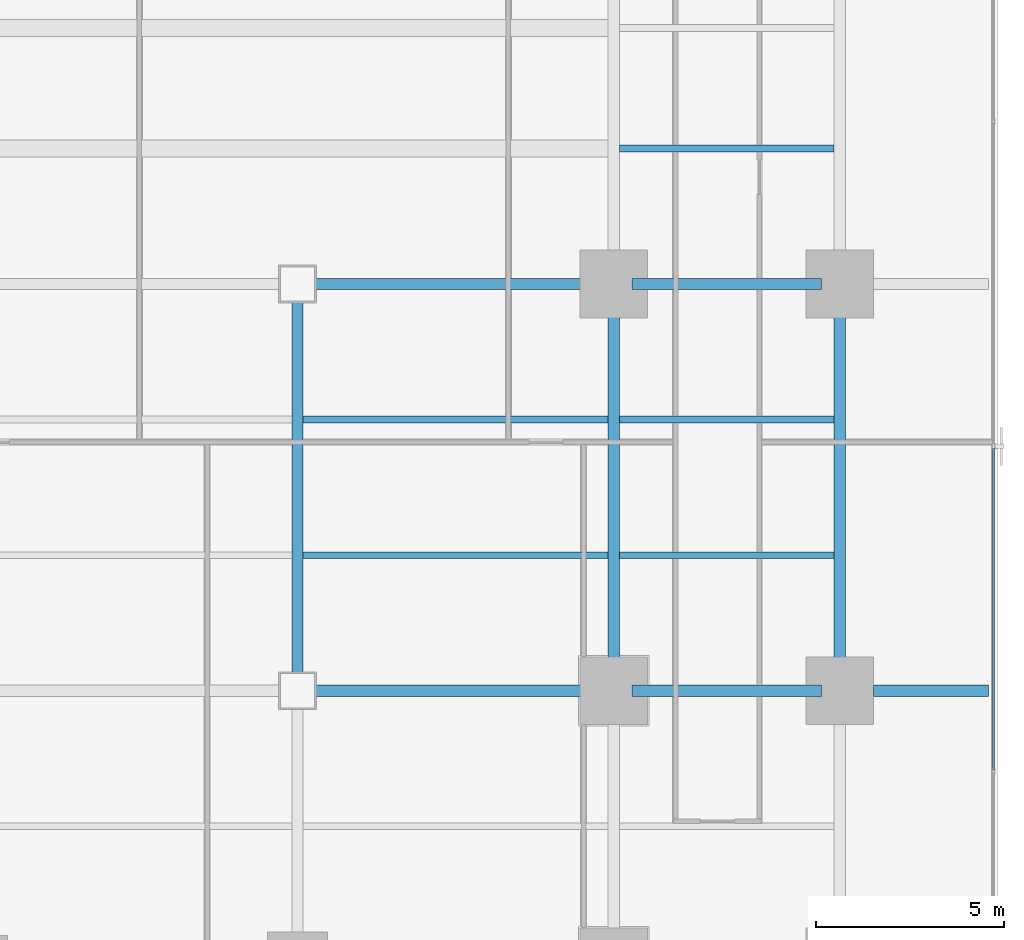
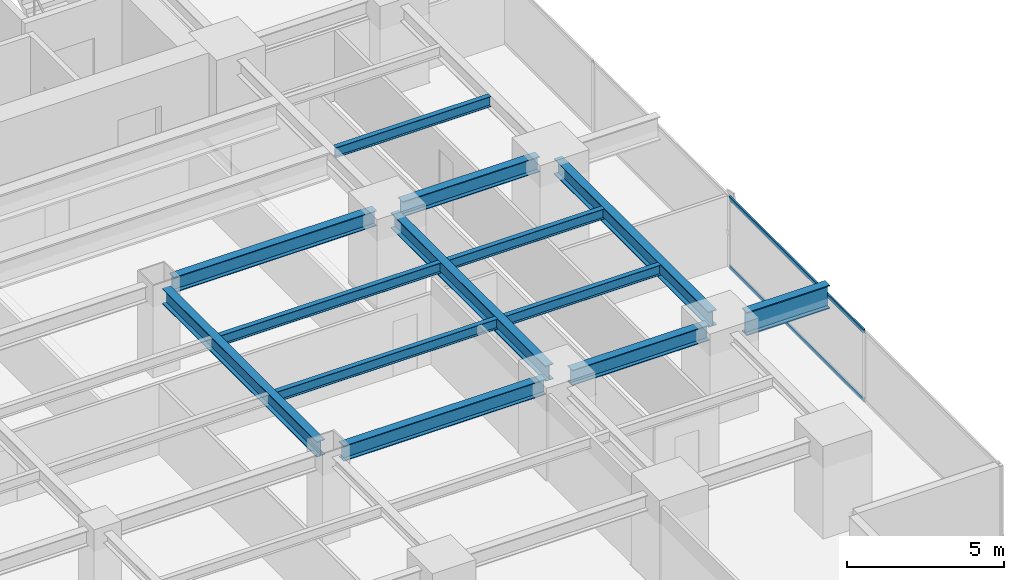
# One storey, part 14 of 33: 13 beams, 2 members, 1 element without a shape of its own.
"""IFC4 building model written with IfcOpenShell, lengths in metres."""

from ifc_helpers import new_model, si_unit, direction, frame, origin, origin_2d, place, context, subcontext, project, spatial, hollow_rectangle, i_section, extrude, source, transform, mapped, material, layer, layer_set, material_profile, profile_set, type_object, element, aggregate, save


model = new_model("IFC4")

# Units and contexts
model_context = context("Model", 3, precision=1e-05, world=origin(), true_north=direction((0.0, 1.0)))
body_context = subcontext(model_context, "Body", "Model", "MODEL_VIEW")
ifc_project = project(units=[si_unit("LENGTHUNIT", "METRE"), si_unit("AREAUNIT", "SQUARE_METRE"), si_unit("VOLUMEUNIT", "CUBIC_METRE"), si_unit("PLANEANGLEUNIT", "RADIAN"), si_unit("MASSUNIT", "GRAM", prefix="KILO")], contexts=[model_context])

# Site, building, storey
site_placement = place(None, origin())
site = spatial("IfcSite", under=ifc_project, at=site_placement, CompositionType="ELEMENT")
building_placement = place(site_placement, origin())
building = spatial("IfcBuilding", under=site, at=building_placement, Name="Sumidabori Civic Tower", CompositionType="ELEMENT")
storey_placement = place(building_placement, frame((0.0, 0.0, 27.199951171875)))
storey = spatial("IfcBuildingStorey", under=building, at=storey_placement, Name="L06", CompositionType="ELEMENT", Elevation=27.199951171875)

# Beams
ifc_material_1 = material(Name="Steel SN490", Category="steel")
ifc_material_profile_1 = material_profile(ifc_material_1, i_section(OverallWidth=0.300048828125, OverallDepth=0.60009765625, WebThickness=0.015380859375, FlangeThickness=0.030029296875, at=origin_2d()), Name="HE 600 B")
ifc_profile_set_1 = profile_set([ifc_material_profile_1], Name="Steel SN490")
beam_type_1 = type_object("IfcBeamType", Name="BM-GIRD-600", PredefinedType="BEAM", material=ifc_profile_set_1)
shared_shape_1 = source(origin(), body_context, "Body", "SweptSolid", [
    extrude(i_section(OverallWidth=0.300048828125, OverallDepth=0.60009765625, WebThickness=0.015380859375, FlangeThickness=0.030029296875, at=origin_2d()), origin(), (0.0, 0.0, 1.0), 5.0400390625),
])
for number, where, z_axis, x_axis, name in (
    (1, (17.280029296875, -10.800048828125, 3.06005859375), (1.0, 0.0, 0.0), (0.0, 1.0, 0.0), "Primary Girder L06 GX-12"),
    (2, (17.280029296875, 0.0, 3.06005859375), (1.0, 0.0, 0.0), (0.0, 1.0, 0.0), "Primary Girder L06 GX-18"),
):
    element("IfcBeam", number, at=place(storey_placement, frame(where, z_axis=z_axis, x_axis=x_axis)), inside=storey, type_object=beam_type_1, Name=name, PredefinedType="BEAM", context=body_context, shape_type="MappedRepresentation", body=[
        mapped(shared_shape_1, transform((0.0, 0.0, 0.0), x_axis=(1.0, 0.0, 0.0), y_axis=(0.0, 1.0, 0.0), z_axis=(0.0, 0.0, 1.0), scale=1.0)),
    ])
shared_shape_2 = source(origin(), body_context, "Body", "SweptSolid", [
    extrude(i_section(OverallWidth=0.300048828125, OverallDepth=0.60009765625, WebThickness=0.015380859375, FlangeThickness=0.030029296875, at=origin_2d()), origin(), (0.0, 0.0, 1.0), 7.440185546875),
])
for number, where, z_axis, x_axis, name in (
    (3, (8.8798828125, -10.800048828125, 3.06005859375), (1.0, 0.0, 0.0), (0.0, 1.0, 0.0), "Primary Girder L06 GX-11"),
    (4, (8.8798828125, 0.0, 3.06005859375), (1.0, 0.0, 0.0), (0.0, 1.0, 0.0), "Primary Girder L06 GX-17"),
):
    element("IfcBeam", number, at=place(storey_placement, frame(where, z_axis=z_axis, x_axis=x_axis)), inside=storey, type_object=beam_type_1, Name=name, PredefinedType="BEAM", context=body_context, shape_type="MappedRepresentation", body=[
        mapped(shared_shape_2, transform((0.0, 0.0, 0.0), x_axis=(1.0, 0.0, 0.0), y_axis=(0.0, 1.0, 0.0), z_axis=(0.0, 0.0, 1.0), scale=1.0)),
    ])
shared_shape_3 = source(origin(), body_context, "Body", "SweptSolid", [
    extrude(i_section(OverallWidth=0.300048828125, OverallDepth=0.60009765625, WebThickness=0.015380859375, FlangeThickness=0.030029296875, at=origin_2d()), origin(), (0.0, 0.0, 1.0), 9.840087890625),
])
for number, where, z_axis, x_axis, name in (
    (5, (8.39990234375, -10.320068359375, 3.06005859375), (0.0, 1.0, 0.0), (-1.0, 0.0, 0.0), "Primary Girder L06 GY-34"),
    (6, (16.800048828125, -10.320068359375, 3.06005859375), (0.0, 1.0, 0.0), (-1.0, 0.0, 0.0), "Primary Girder L06 GY-36"),
    (7, (22.800048828125, -10.320068359375, 3.06005859375), (0.0, 1.0, 0.0), (-1.0, 0.0, 0.0), "Primary Girder L06 GY-40"),
):
    element("IfcBeam", number, at=place(storey_placement, frame(where, z_axis=z_axis, x_axis=x_axis)), inside=storey, type_object=beam_type_1, Name=name, PredefinedType="BEAM", context=body_context, shape_type="MappedRepresentation", body=[
        mapped(shared_shape_3, transform((0.0, 0.0, 0.0), x_axis=(1.0, 0.0, 0.0), y_axis=(0.0, 1.0, 0.0), z_axis=(0.0, 0.0, 1.0), scale=1.0)),
    ])
ifc_material_profile_2 = material_profile(ifc_material_1, i_section(OverallWidth=0.302001953125, OverallDepth=0.909912109375, WebThickness=0.02099609375, FlangeThickness=0.0400390625, at=origin_2d()), Name="HE 900 M")
ifc_profile_set_2 = profile_set([ifc_material_profile_2], Name="Steel SN490")
beam_type_2 = type_object("IfcBeamType", Name="BM-Z1-EDGE", PredefinedType="SPANDREL", material=ifc_profile_set_2)
shared_shape_4 = source(origin(), body_context, "Body", "SweptSolid", [
    extrude(i_section(OverallWidth=0.302001953125, OverallDepth=0.909912109375, WebThickness=0.02099609375, FlangeThickness=0.0400390625, at=origin_2d()), origin(), (0.0, 0.0, 1.0), 3.050048828125),
])
beam_placement = place(storey_placement, frame((23.699951171875, -10.800048828125, 2.905029296875), z_axis=(1.0, 0.0, 0.0), x_axis=(0.0, 1.0, 0.0)))
element("IfcBeam", 8, at=beam_placement, inside=storey, type_object=beam_type_2, Name="Perimeter Overhang Beam L06 E-43", PredefinedType="SPANDREL", context=body_context, shape_type="MappedRepresentation", body=[
    mapped(shared_shape_4, transform((0.0, 0.0, 0.0), x_axis=(1.0, 0.0, 0.0), y_axis=(0.0, 1.0, 0.0), z_axis=(0.0, 0.0, 1.0), scale=1.0)),
])
ifc_material_profile_3 = material_profile(ifc_material_1, i_section(OverallWidth=0.179931640625, OverallDepth=0.39990234375, WebThickness=0.008544921875, FlangeThickness=0.013427734375, at=origin_2d()), Name="IPE 400")
ifc_profile_set_3 = profile_set([ifc_material_profile_3], Name="Steel SN490")
beam_type_3 = type_object("IfcBeamType", Name="BM-JST-400", PredefinedType="JOIST", material=ifc_profile_set_3)
shared_shape_5 = source(origin(), body_context, "Body", "SweptSolid", [
    extrude(i_section(OverallWidth=0.179931640625, OverallDepth=0.39990234375, WebThickness=0.008544921875, FlangeThickness=0.013427734375, at=origin_2d()), origin(), (0.0, 0.0, 1.0), 5.699951171875),
])
for number, where, z_axis, x_axis, name in (
    (9, (16.949951171875, -7.199951171875, 3.16015625), (1.0, 0.0, 0.0), (0.0, 1.0, 0.0), "Outer Bay Floor Joist L06 JSTO-50"),
    (10, (16.949951171875, -3.60009765625, 3.16015625), (1.0, 0.0, 0.0), (0.0, 1.0, 0.0), "Outer Bay Floor Joist L06 JSTO-52"),
    (11, (16.949951171875, 3.60009765625, 3.16015625), (1.0, 0.0, 0.0), (0.0, 1.0, 0.0), "Outer Bay Floor Joist L06 JSTO-54"),
):
    element("IfcBeam", number, at=place(storey_placement, frame(where, z_axis=z_axis, x_axis=x_axis)), inside=storey, type_object=beam_type_3, Name=name, PredefinedType="JOIST", context=body_context, shape_type="MappedRepresentation", body=[
        mapped(shared_shape_5, transform((0.0, 0.0, 0.0), x_axis=(1.0, 0.0, 0.0), y_axis=(0.0, 1.0, 0.0), z_axis=(0.0, 0.0, 1.0), scale=1.0)),
    ])
shared_shape_6 = source(origin(), body_context, "Body", "SweptSolid", [
    extrude(i_section(OverallWidth=0.179931640625, OverallDepth=0.39990234375, WebThickness=0.008544921875, FlangeThickness=0.013427734375, at=origin_2d()), origin(), (0.0, 0.0, 1.0), 8.099853515625),
])
for number, where, z_axis, x_axis, name in (
    (12, (8.550048828125, -7.199951171875, 3.16015625), (1.0, 0.0, 0.0), (0.0, 1.0, 0.0), "South Bay Floor Joist L06 JSTS-68"),
    (13, (8.550048828125, -3.60009765625, 3.16015625), (1.0, 0.0, 0.0), (0.0, 1.0, 0.0), "South Bay Floor Joist L06 JSTS-72"),
):
    element("IfcBeam", number, at=place(storey_placement, frame(where, z_axis=z_axis, x_axis=x_axis)), inside=storey, type_object=beam_type_3, Name=name, PredefinedType="JOIST", context=body_context, shape_type="MappedRepresentation", body=[
        mapped(shared_shape_6, transform((0.0, 0.0, 0.0), x_axis=(1.0, 0.0, 0.0), y_axis=(0.0, 1.0, 0.0), z_axis=(0.0, 0.0, 1.0), scale=1.0)),
    ])

# Curtain wall, members
ifc_material_2 = material(Name="Anodised Bronze Aluminium AW-6063-T6", Category="aluminium")
ifc_layer = layer(ifc_material_2, 0.179931640625, Name="Anodised Bronze Aluminium AW-6063-T6")
ifc_layer_set = layer_set([ifc_layer], Name="Anodised Bronze Aluminium AW-6063-T6")
curtain_wall_type = type_object("IfcCurtainWallType", Name="CW-SYS-2", PredefinedType="NOTDEFINED", material=ifc_layer_set)
curtain_wall_placement = place(storey_placement, origin())
curtain_wall = element("IfcCurtainWall", 14, at=curtain_wall_placement, inside=storey, type_object=curtain_wall_type, Name="Curtain Wall CW:L06:R04", PredefinedType="NOTDEFINED")
ifc_material_profile_4 = material_profile(ifc_material_2, hollow_rectangle(XDim=0.06494140625, YDim=0.14990234375, WallThickness=0.0048828125, at=origin_2d()), Name="ALU TRANSOM 150x65")
ifc_profile_set_4 = profile_set([ifc_material_profile_4], Name="Anodised Bronze Aluminium AW-6063-T6")
member_type = type_object("IfcMemberType", Name="CW-TRN-150", PredefinedType="USERDEFINED", material=ifc_profile_set_4)
shared_shape_7 = source(origin(), body_context, "Body", "SweptSolid", [
    extrude(hollow_rectangle(XDim=0.06494140625, YDim=0.14990234375, WallThickness=0.0048828125, at=origin_2d()), origin(), (0.0, 0.0, 1.0), 8.557861328125),
])
member_1_placement = place(storey_placement, frame((26.8798828125, -12.906982421875, 0.032470703125), z_axis=(0.0, 1.0, 0.0), x_axis=(-1.0, 0.0, 0.0)))
member_1 = element("IfcMember", 15, at=member_1_placement, type_object=member_type, Name="CW-2 transom 2.1", ObjectType="TRANSOM", PredefinedType="USERDEFINED", context=body_context, shape_type="MappedRepresentation", body=[
    mapped(shared_shape_7, transform((0.0, 0.0, 0.0), x_axis=(1.0, 0.0, 0.0), y_axis=(0.0, 1.0, 0.0), z_axis=(0.0, 0.0, 1.0), scale=1.0)),
])
member_2_placement = place(storey_placement, frame((26.8798828125, -12.906982421875, 2.70751953125), z_axis=(0.0, 1.0, 0.0), x_axis=(-1.0, 0.0, 0.0)))
member_2 = element("IfcMember", 16, at=member_2_placement, type_object=member_type, Name="CW-2 transom 2.2", ObjectType="TRANSOM", PredefinedType="USERDEFINED", context=body_context, shape_type="MappedRepresentation", body=[
    mapped(shared_shape_7, transform((0.0, 0.0, 0.0), x_axis=(1.0, 0.0, 0.0), y_axis=(0.0, 1.0, 0.0), z_axis=(0.0, 0.0, 1.0), scale=1.0)),
])
aggregate(curtain_wall, [member_1, member_2])

save(model, "model.ifc")
